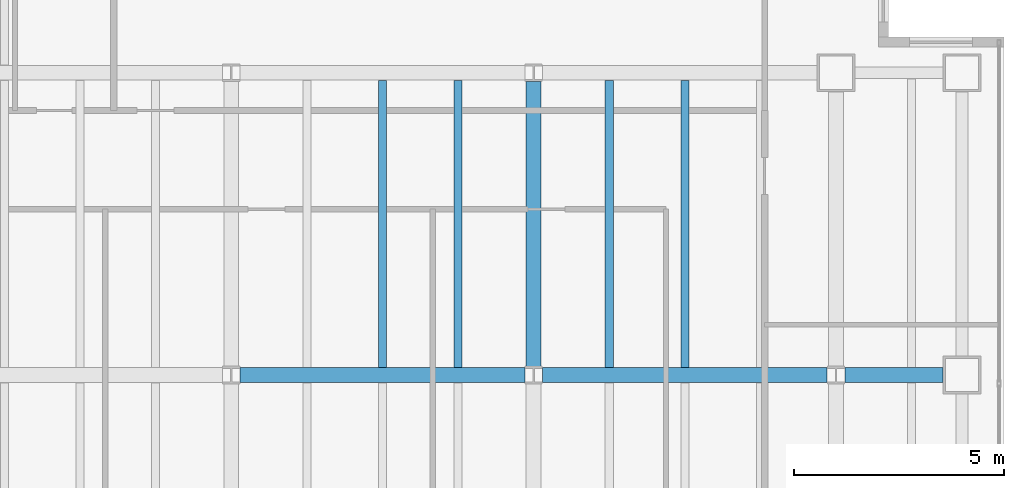
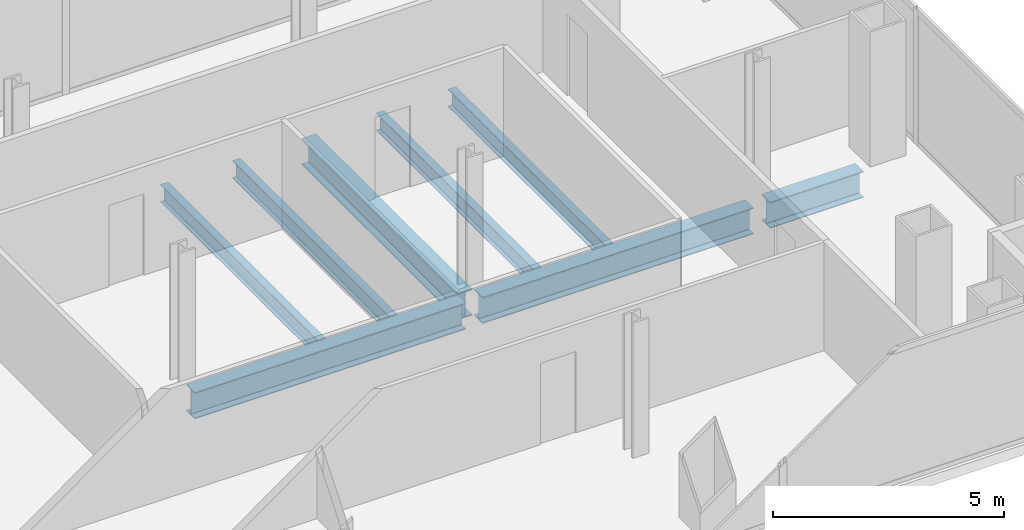
# One storey, part 12 of 24: 8 beams.
"""IFC4 building model written with IfcOpenShell, lengths in metres."""

from ifc_helpers import new_model, si_unit, direction, frame, origin, origin_2d, place, context, subcontext, project, spatial, i_section, extrude, material, material_profile, profile_set, type_object, element, save


model = new_model("IFC4")

# Units and contexts
model_context = context("Model", 3, precision=1e-05, world=origin(), true_north=direction((0.0, 1.0)))
body_context = subcontext(model_context, "Body", "Model", "MODEL_VIEW")
ifc_project = project(units=[si_unit("LENGTHUNIT", "METRE"), si_unit("AREAUNIT", "SQUARE_METRE"), si_unit("VOLUMEUNIT", "CUBIC_METRE"), si_unit("PLANEANGLEUNIT", "RADIAN"), si_unit("MASSUNIT", "GRAM", prefix="KILO")], contexts=[model_context])

# Site, building, storey
site_placement = place(None, origin())
site = spatial("IfcSite", under=ifc_project, at=site_placement, CompositionType="ELEMENT")
building_placement = place(site_placement, origin())
building = spatial("IfcBuilding", under=site, at=building_placement, Name="Cobrela Telecom Tower", CompositionType="ELEMENT")
storey_placement = place(building_placement, frame((0.0, 0.0, 121.449951171875)))
storey = spatial("IfcBuildingStorey", under=building, at=storey_placement, Name="L30", CompositionType="ELEMENT", Elevation=121.449951171875)

# Beams
ifc_material = material(Name="Steel ASTM A992 Grade 50", Category="steel")
ifc_material_profile_1 = material_profile(ifc_material, i_section(OverallWidth=0.35595703125, OverallDepth=0.696044921875, WebThickness=0.015380859375, FlangeThickness=0.024658203125, FilletRadius=0.01806640625, at=origin_2d()), Name="W27X146")
ifc_profile_set_1 = profile_set([ifc_material_profile_1], Name="Steel ASTM A992 Grade 50")
beam_type_1 = type_object("IfcBeamType", Name="BM-GIRD-05", PredefinedType="USERDEFINED", material=ifc_profile_set_1)
for number, where, z_axis, x_axis, name in (
    (1, (29.009521484375, 14.39990234375, -0.617919921875), (1.0, 0.0, 0.0), (0.0, 1.0, 0.0), "L30 Primary Girder X15"),
    (2, (36.20947265625, 14.39990234375, -0.617919921875), (1.0, 0.0, 0.0), (0.0, 1.0, 0.0), "L30 Primary Girder X16"),
):
    element("IfcBeam", number, at=place(storey_placement, frame(where, z_axis=z_axis, x_axis=x_axis)), inside=storey, type_object=beam_type_1, Name=name, ObjectType="GIRDER", PredefinedType="USERDEFINED", context=body_context, shape_type="SweptSolid", body=[
        extrude(i_section(OverallWidth=0.35595703125, OverallDepth=0.696044921875, WebThickness=0.015380859375, FlangeThickness=0.024658203125, FilletRadius=0.01806640625, at=origin_2d()), origin(), (0.0, 0.0, 1.0), 6.781005859375),
    ])
beam_1_placement = place(storey_placement, frame((43.409423828125, 14.39990234375, -0.617919921875), z_axis=(1.0, 0.0, 0.0), x_axis=(0.0, 1.0, 0.0)))
element("IfcBeam", 3, at=beam_1_placement, inside=storey, type_object=beam_type_1, Name="L30 Primary Girder X17", ObjectType="GIRDER", PredefinedType="USERDEFINED", context=body_context, shape_type="SweptSolid", body=[
    extrude(i_section(OverallWidth=0.35595703125, OverallDepth=0.696044921875, WebThickness=0.015380859375, FlangeThickness=0.024658203125, FilletRadius=0.01806640625, at=origin_2d()), origin(), (0.0, 0.0, 1.0), 2.335693359375),
])
beam_2_placement = place(storey_placement, frame((36.0, 14.609619140625, -0.617919921875), z_axis=(0.0, 1.0, 0.0), x_axis=(-1.0, 0.0, 0.0)))
element("IfcBeam", 4, at=beam_2_placement, inside=storey, type_object=beam_type_1, Name="L30 Primary Girder Y51", ObjectType="GIRDER", PredefinedType="USERDEFINED", context=body_context, shape_type="SweptSolid", body=[
    extrude(i_section(OverallWidth=0.35595703125, OverallDepth=0.696044921875, WebThickness=0.015380859375, FlangeThickness=0.024658203125, FilletRadius=0.01806640625, at=origin_2d()), origin(), (0.0, 0.0, 1.0), 6.78076171875),
])
ifc_material_profile_2 = material_profile(ifc_material, i_section(OverallWidth=0.193115234375, OverallDepth=0.467041015625, WebThickness=0.011474609375, FlangeThickness=0.01904296875, FilletRadius=0.012939453125, at=origin_2d()), Name="W18X65")
ifc_profile_set_2 = profile_set([ifc_material_profile_2], Name="Steel ASTM A992 Grade 50")
beam_type_2 = type_object("IfcBeamType", Name="BM-JOIST-03", PredefinedType="JOIST", material=ifc_profile_set_2)
for number, where, z_axis, x_axis, name in (
    (5, (32.39990234375, 14.5830078125, -0.50341796875), (0.0, 1.0, 0.0), (-1.0, 0.0, 0.0), "L30 Secondary Composite Floor Beam J30"),
    (6, (34.199951171875, 14.5830078125, -0.50341796875), (0.0, 1.0, 0.0), (-1.0, 0.0, 0.0), "L30 Secondary Composite Floor Beam J32"),
    (7, (37.800048828125, 14.5830078125, -0.50341796875), (0.0, 1.0, 0.0), (-1.0, 0.0, 0.0), "L30 Secondary Composite Floor Beam J34"),
    (8, (39.60009765625, 14.5830078125, -0.50341796875), (0.0, 1.0, 0.0), (-1.0, 0.0, 0.0), "L30 Secondary Composite Floor Beam J36"),
):
    element("IfcBeam", number, at=place(storey_placement, frame(where, z_axis=z_axis, x_axis=x_axis)), inside=storey, type_object=beam_type_2, Name=name, PredefinedType="JOIST", context=body_context, shape_type="SweptSolid", body=[
        extrude(i_section(OverallWidth=0.193115234375, OverallDepth=0.467041015625, WebThickness=0.011474609375, FlangeThickness=0.01904296875, FilletRadius=0.012939453125, at=origin_2d()), origin(), (0.0, 0.0, 1.0), 6.833984375),
    ])

save(model, "model.ifc")
